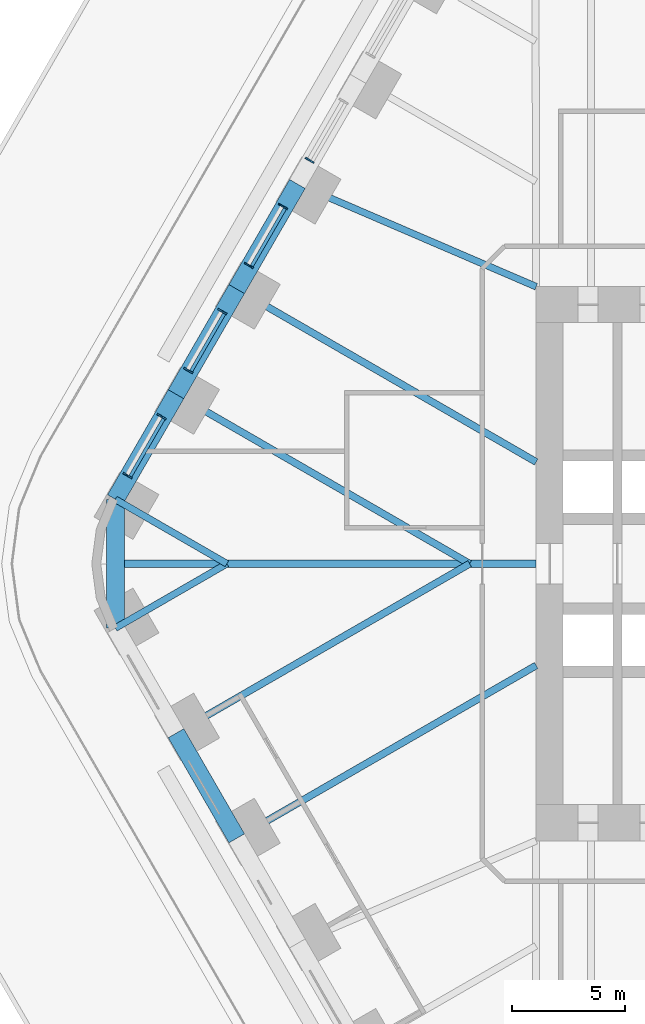
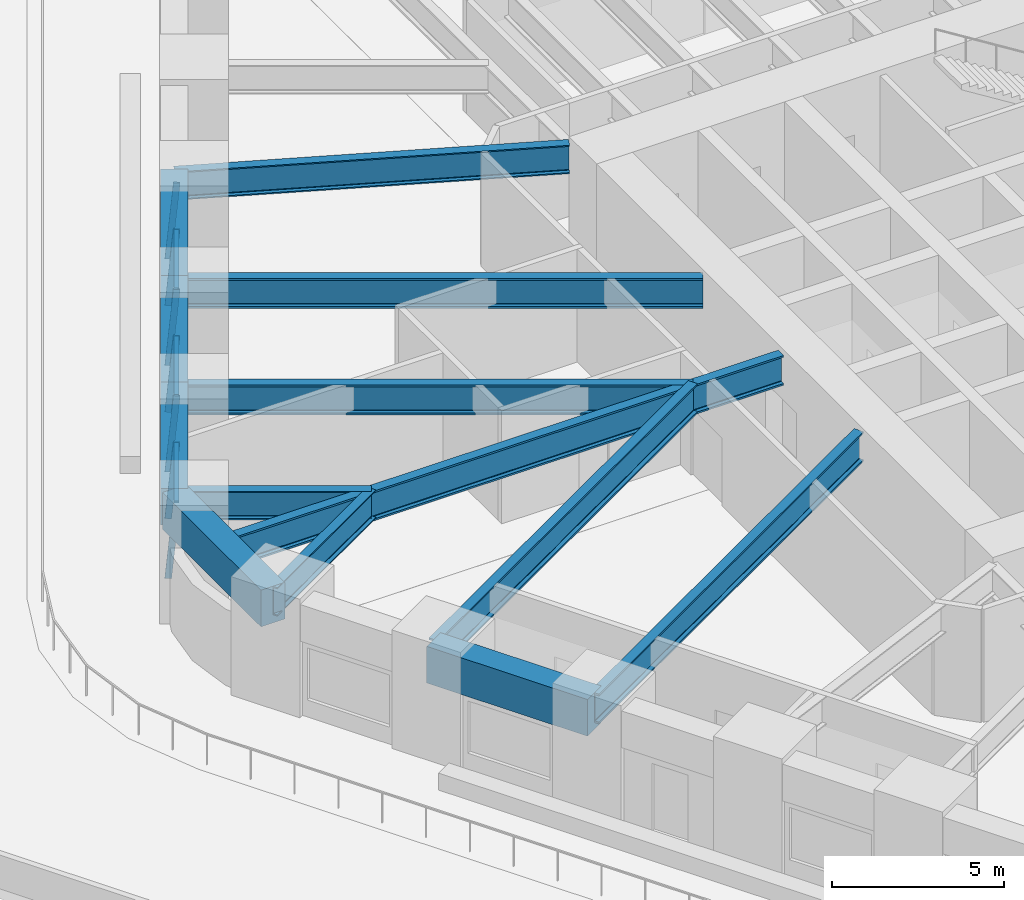
# One storey, part 3 of 17: 13 beams, 10 members, 4 elements without a shape of their own.
"""IFC4 building model written with IfcOpenShell, lengths in metres."""

from ifc_helpers import new_model, si_unit, direction, frame, origin, origin_2d, place, context, subcontext, project, spatial, rectangle, i_section, extrude, material, material_profile, profile_set, type_object, element, aggregate, save


model = new_model("IFC4")

# Units and contexts
model_context = context("Model", 3, precision=1e-05, world=origin(), true_north=direction((0.0, 1.0)))
body_context = subcontext(model_context, "Body", "Model", "MODEL_VIEW")
ifc_project = project(units=[si_unit("LENGTHUNIT", "METRE"), si_unit("AREAUNIT", "SQUARE_METRE"), si_unit("VOLUMEUNIT", "CUBIC_METRE"), si_unit("PLANEANGLEUNIT", "RADIAN"), si_unit("MASSUNIT", "GRAM", prefix="KILO")], contexts=[model_context])

# Site, building, storey
site_placement = place(None, origin())
site = spatial("IfcSite", under=ifc_project, at=site_placement, CompositionType="ELEMENT")
building_placement = place(site_placement, origin())
building = spatial("IfcBuilding", under=site, at=building_placement, Name="Tarfa Lantern Tower", CompositionType="ELEMENT")
storey_placement = place(building_placement, frame((0.0, 0.0, 23.5)))
storey = spatial("IfcBuildingStorey", under=building, at=storey_placement, Name="L04", CompositionType="ELEMENT", Elevation=23.5)

# Curtain wall, member
ifc_material_1 = material(Name="Aluminium framed curtain wall", Category="aluminium")
curtain_wall_type = type_object("IfcCurtainWallType", Name="CW1 CANTED GLAZING LOW ZONE 2700", PredefinedType="USERDEFINED", material=ifc_material_1)
curtain_wall_1_placement = place(storey_placement, origin())
curtain_wall_1 = element("IfcCurtainWall", 1, at=curtain_wall_1_placement, inside=storey, type_object=curtain_wall_type, Name="CW1 NW L04", ObjectType="CURTAIN WALL", PredefinedType="USERDEFINED")
ifc_material_2 = material(Name="Aluminium mullion", Category="aluminium")
ifc_material_profile_1 = material_profile(ifc_material_2, rectangle(XDim=0.06494140625, YDim=0.199951171875, at=origin_2d()), Name="AL MULLION 65x200")
ifc_profile_set_1 = profile_set([ifc_material_profile_1], Name="Aluminium mullion")
member_type_1 = type_object("IfcMemberType", Name="CWM1 MULLION 65x200", PredefinedType="MULLION", material=ifc_profile_set_1)
member_1_placement = place(storey_placement, frame((-28.76708984375, 17.97412109375, 0.0), z_axis=(0.07986442134, -0.046099868913, 0.99573916077), x_axis=(0.499919672301, 0.866071776036, 0.0)))
member_1 = element("IfcMember", 2, at=member_1_placement, type_object=member_type_1, Name="CW1 mullion 2", PredefinedType="MULLION", context=body_context, shape_type="SweptSolid", body=[
    extrude(rectangle(XDim=0.06494140625, YDim=0.199951171875, at=origin_2d()), origin(), (0.0, 0.0, 1.0), 2.71142578125),
])
aggregate(curtain_wall_1, [member_1])

# Curtain wall, members
curtain_wall_2_placement = place(storey_placement, origin())
curtain_wall_2 = element("IfcCurtainWall", 3, at=curtain_wall_2_placement, inside=storey, type_object=curtain_wall_type, Name="CW1 NW L04", ObjectType="CURTAIN WALL", PredefinedType="USERDEFINED")
member_2_placement = place(storey_placement, frame((-29.949462890625, 15.926025390625, 0.0), z_axis=(0.07986442134, -0.046099868913, 0.99573916077), x_axis=(0.499919672301, 0.866071776036, 0.0)))
member_2 = element("IfcMember", 4, at=member_2_placement, type_object=member_type_1, Name="CW1 mullion 1", PredefinedType="MULLION", context=body_context, shape_type="SweptSolid", body=[
    extrude(rectangle(XDim=0.06494140625, YDim=0.199951171875, at=origin_2d()), origin(), (0.0, 0.0, 1.0), 2.71142578125),
])
member_3_placement = place(storey_placement, frame((-31.46142578125, 13.307373046875, 0.0), z_axis=(0.07986442134, -0.046099868913, 0.99573916077), x_axis=(0.499919672301, 0.866071776036, 0.0)))
member_3 = element("IfcMember", 5, at=member_3_placement, type_object=member_type_1, Name="CW1 mullion 2", PredefinedType="MULLION", context=body_context, shape_type="SweptSolid", body=[
    extrude(rectangle(XDim=0.06494140625, YDim=0.199951171875, at=origin_2d()), origin(), (0.0, 0.0, 1.0), 2.71142578125),
])

curtain_wall_3_placement = place(storey_placement, origin())
curtain_wall_3 = element("IfcCurtainWall", 6, at=curtain_wall_3_placement, inside=storey, type_object=curtain_wall_type, Name="CW1 NW L04", ObjectType="CURTAIN WALL", PredefinedType="USERDEFINED")
member_4_placement = place(storey_placement, frame((-32.643798828125, 11.25927734375, 0.0), z_axis=(0.07986442134, -0.046099868913, 0.99573916077), x_axis=(0.499919672301, 0.866071776036, 0.0)))
member_4 = element("IfcMember", 7, at=member_4_placement, type_object=member_type_1, Name="CW1 mullion 1", PredefinedType="MULLION", context=body_context, shape_type="SweptSolid", body=[
    extrude(rectangle(XDim=0.06494140625, YDim=0.199951171875, at=origin_2d()), origin(), (0.0, 0.0, 1.0), 2.71142578125),
])
member_5_placement = place(storey_placement, frame((-34.155517578125, 8.640625, 0.0), z_axis=(0.079774955866, -0.04610020023, 0.995746317068), x_axis=(0.500342721131, 0.865827443207, 0.0)))
member_5 = element("IfcMember", 8, at=member_5_placement, type_object=member_type_1, Name="CW1 mullion 2", PredefinedType="MULLION", context=body_context, shape_type="SweptSolid", body=[
    extrude(rectangle(XDim=0.06494140625, YDim=0.199951171875, at=origin_2d()), origin(), (0.0, 0.0, 1.0), 2.71142578125),
])

curtain_wall_4_placement = place(storey_placement, origin())
curtain_wall_4 = element("IfcCurtainWall", 9, at=curtain_wall_4_placement, inside=storey, type_object=curtain_wall_type, Name="CW1 NW L04", ObjectType="CURTAIN WALL", PredefinedType="USERDEFINED")
member_6_placement = place(storey_placement, frame((-35.338134765625, 6.592529296875, 0.0), z_axis=(0.07986442134, -0.046099868913, 0.99573916077), x_axis=(0.499919672301, 0.866071776036, 0.0)))
member_6 = element("IfcMember", 10, at=member_6_placement, type_object=member_type_1, Name="CW1 mullion 1", PredefinedType="MULLION", context=body_context, shape_type="SweptSolid", body=[
    extrude(rectangle(XDim=0.06494140625, YDim=0.199951171875, at=origin_2d()), origin(), (0.0, 0.0, 1.0), 2.71142578125),
])
member_7_placement = place(storey_placement, frame((-36.849853515625, 3.97412109375, 0.0), z_axis=(0.07986442134, -0.046099868913, 0.99573916077), x_axis=(0.499919672301, 0.866071776036, 0.0)))
member_7 = element("IfcMember", 11, at=member_7_placement, type_object=member_type_1, Name="CW1 mullion 2", PredefinedType="MULLION", context=body_context, shape_type="SweptSolid", body=[
    extrude(rectangle(XDim=0.06494140625, YDim=0.199951171875, at=origin_2d()), origin(), (0.0, 0.0, 1.0), 2.71142578125),
])

# Member
ifc_material_3 = material(Name="Aluminium transom", Category="aluminium")
ifc_material_profile_2 = material_profile(ifc_material_3, rectangle(XDim=0.14990234375, YDim=0.06494140625, at=origin_2d()), Name="AL TRANSOM 150x65")
ifc_profile_set_2 = profile_set([ifc_material_profile_2], Name="Aluminium transom")
member_type_2 = type_object("IfcMemberType", Name="CWT1 TRANSOM 150x65", PredefinedType="USERDEFINED", material=ifc_profile_set_2)
member_8_placement = place(storey_placement, frame((-29.751953125, 15.774169921875, 2.66748046875), z_axis=(-0.500017718492, -0.866015173767, 0.0), x_axis=(0.866015173767, -0.500017718492, 0.0)))
member_8 = element("IfcMember", 12, at=member_8_placement, type_object=member_type_2, Name="CW1 transom 1.2", ObjectType="TRANSOM", PredefinedType="USERDEFINED", context=body_context, shape_type="SweptSolid", body=[
    extrude(rectangle(XDim=0.14990234375, YDim=0.06494140625, at=origin_2d()), origin(), (0.0, 0.0, 1.0), 2.95849609375),
])

aggregate(curtain_wall_2, [member_2, member_3, member_8])

member_9_placement = place(storey_placement, frame((-32.446044921875, 11.107666015625, 2.66748046875), z_axis=(-0.50004387232, -0.866000072607, 0.0), x_axis=(0.866000072607, -0.50004387232, 0.0)))
member_9 = element("IfcMember", 13, at=member_9_placement, type_object=member_type_2, Name="CW1 transom 1.2", ObjectType="TRANSOM", PredefinedType="USERDEFINED", context=body_context, shape_type="SweptSolid", body=[
    extrude(rectangle(XDim=0.14990234375, YDim=0.06494140625, at=origin_2d()), origin(), (0.0, 0.0, 1.0), 2.958740234375),
])

aggregate(curtain_wall_3, [member_4, member_5, member_9])

member_10_placement = place(storey_placement, frame((-35.140380859375, 6.44091796875, 2.66748046875), z_axis=(-0.50004387232, -0.866000072607, 0.0), x_axis=(0.866000072607, -0.50004387232, 0.0)))
member_10 = element("IfcMember", 14, at=member_10_placement, type_object=member_type_2, Name="CW1 transom 1.2", ObjectType="TRANSOM", PredefinedType="USERDEFINED", context=body_context, shape_type="SweptSolid", body=[
    extrude(rectangle(XDim=0.14990234375, YDim=0.06494140625, at=origin_2d()), origin(), (0.0, 0.0, 1.0), 2.958740234375),
])

aggregate(curtain_wall_4, [member_6, member_7, member_10])

# Beams
ifc_material_4 = material(Name="Concrete C80/95", Category="concrete")
ifc_material_profile_3 = material_profile(ifc_material_4, rectangle(XDim=0.800048828125, YDim=1.300048828125, at=origin_2d()), Name="RC 800x1300")
ifc_profile_set_3 = profile_set([ifc_material_profile_3], Name="Concrete C80/95")
beam_type_1 = type_object("IfcBeamType", Name="EB1 RC 800x1300", PredefinedType="SPANDREL", material=ifc_profile_set_3)
for number, where, z_axis, x_axis, name in (
    (15, (-29.202392578125, 16.860107421875, 3.35009765625), (-0.499998287579, -0.866026392449, 0.0), (0.866026392449, -0.499998287579, 0.0), "Edge beam NW3"),
    (16, (-31.896728515625, 12.193359375, 3.35009765625), (-0.499998287579, -0.866026392449, 0.0), (0.866026392449, -0.499998287579, 0.0), "Edge beam NW4"),
):
    element("IfcBeam", number, at=place(storey_placement, frame(where, z_axis=z_axis, x_axis=x_axis)), inside=storey, type_object=beam_type_1, Name=name, PredefinedType="SPANDREL", context=body_context, shape_type="SweptSolid", body=[
        extrude(rectangle(XDim=0.800048828125, YDim=1.300048828125, at=origin_2d()), origin(), (0.0, 0.0, 1.0), 5.388671875),
    ])
beam_1_placement = place(storey_placement, frame((-34.591064453125, 7.526611328125, 3.35009765625), z_axis=(-0.500017906299, -0.866015065331, 0.0), x_axis=(0.866015065331, -0.500017906299, 0.0)))
element("IfcBeam", 17, at=beam_1_placement, inside=storey, type_object=beam_type_1, Name="Edge beam NW5", PredefinedType="SPANDREL", context=body_context, shape_type="SweptSolid", body=[
    extrude(rectangle(XDim=0.800048828125, YDim=1.300048828125, at=origin_2d()), origin(), (0.0, 0.0, 1.0), 5.388427734375),
])
beam_2_placement = place(storey_placement, frame((-37.285400390625, 2.860107421875, 3.35009765625), z_axis=(0.0, -1.0, 0.0), x_axis=(1.0, 0.0, 0.0)))
element("IfcBeam", 18, at=beam_2_placement, inside=storey, type_object=beam_type_1, Name="Edge beam NW6", PredefinedType="SPANDREL", context=body_context, shape_type="SweptSolid", body=[
    extrude(rectangle(XDim=0.800048828125, YDim=1.300048828125, at=origin_2d()), origin(), (0.0, 0.0, 1.0), 5.72021484375),
])
beam_3_placement = place(storey_placement, frame((-34.591064453125, -7.526611328125, 3.35009765625), z_axis=(0.499998287579, -0.866026392449, 0.0), x_axis=(0.866026392449, 0.499998287579, 0.0)))
element("IfcBeam", 19, at=beam_3_placement, inside=storey, type_object=beam_type_1, Name="Edge beam SW1", PredefinedType="SPANDREL", context=body_context, shape_type="SweptSolid", body=[
    extrude(rectangle(XDim=0.800048828125, YDim=1.300048828125, at=origin_2d()), origin(), (0.0, 0.0, 1.0), 5.388671875),
])
ifc_material_5 = material(Name="Steel S460M", Category="steel")
ifc_material_profile_4 = material_profile(ifc_material_5, i_section(OverallWidth=0.302001953125, OverallDepth=1.008056640625, WebThickness=0.02099609375, FlangeThickness=0.0400390625, FilletRadius=0.030029296875, at=origin_2d()), Name="UB1016x305x349")
ifc_profile_set_4 = profile_set([ifc_material_profile_4], Name="Steel S460M")
beam_type_2 = type_object("IfcBeamType", Name="UB1016x305x349", PredefinedType="BEAM", material=ifc_profile_set_4)
beam_4_placement = place(storey_placement, frame((-29.202392578125, 16.860107421875, 3.495849609375), z_axis=(0.918635483867, -0.395106122175, 0.0), x_axis=(0.395106122175, 0.918635483867, 0.0)))
element("IfcBeam", 20, at=beam_4_placement, inside=storey, type_object=beam_type_2, Name="Floor beam NW3", PredefinedType="BEAM", context=body_context, shape_type="SweptSolid", body=[
    extrude(i_section(OverallWidth=0.302001953125, OverallDepth=1.008056640625, WebThickness=0.02099609375, FlangeThickness=0.0400390625, FilletRadius=0.030029296875, at=origin_2d()), origin(), (0.0, 0.0, 1.0), 11.541259765625),
])
for number, where, z_axis, x_axis, name in (
    (21, (-37.285400390625, 2.860107421875, 3.495849609375), (0.866025668288, -0.499999541866, 0.0), (0.499999541866, 0.866025668288, 0.0), "Floor beam NW6"),
    (22, (-37.285400390625, -2.860107421875, 3.495849609375), (0.866025668288, 0.499999541866, 0.0), (-0.499999541866, 0.866025668288, 0.0), "Floor beam SW0"),
):
    element("IfcBeam", number, at=place(storey_placement, frame(where, z_axis=z_axis, x_axis=x_axis)), inside=storey, type_object=beam_type_2, Name=name, PredefinedType="BEAM", context=body_context, shape_type="SweptSolid", body=[
        extrude(i_section(OverallWidth=0.302001953125, OverallDepth=1.008056640625, WebThickness=0.02099609375, FlangeThickness=0.0400390625, FilletRadius=0.030029296875, at=origin_2d()), origin(), (0.0, 0.0, 1.0), 5.72021484375),
    ])
ifc_material_profile_5 = material_profile(ifc_material_5, i_section(OverallWidth=0.314208984375, OverallDepth=1.055908203125, WebThickness=0.035888671875, FlangeThickness=0.06396484375, FilletRadius=0.030029296875, at=origin_2d()), Name="UB1016x305x584")
ifc_profile_set_5 = profile_set([ifc_material_profile_5], Name="Steel S460M")
beam_type_3 = type_object("IfcBeamType", Name="UB1016x305x584", PredefinedType="BEAM", material=ifc_profile_set_5)
beam_5_placement = place(storey_placement, frame((-18.60009765625, 0.0, 3.471923828125), z_axis=(-1.0, 0.0, 0.0), x_axis=(0.0, -1.0, 0.0)))
element("IfcBeam", 23, at=beam_5_placement, inside=storey, type_object=beam_type_3, Name="Hip girder W", PredefinedType="BEAM", context=body_context, shape_type="SweptSolid", body=[
    extrude(i_section(OverallWidth=0.314208984375, OverallDepth=1.055908203125, WebThickness=0.035888671875, FlangeThickness=0.06396484375, FilletRadius=0.030029296875, at=origin_2d()), origin(), (0.0, 0.0, 1.0), 18.685302734375),
])
beam_6_placement = place(storey_placement, frame((-31.896728515625, 12.193359375, 3.471923828125), z_axis=(0.866026971665, -0.499997284341, 0.0), x_axis=(0.499997284341, 0.866026971665, 0.0)))
element("IfcBeam", 24, at=beam_6_placement, inside=storey, type_object=beam_type_3, Name="Floor beam NW4", PredefinedType="BEAM", context=body_context, shape_type="SweptSolid", body=[
    extrude(i_section(OverallWidth=0.314208984375, OverallDepth=1.055908203125, WebThickness=0.035888671875, FlangeThickness=0.06396484375, FilletRadius=0.030029296875, at=origin_2d()), origin(), (0.0, 0.0, 1.0), 15.353515625),
])
for number, where, z_axis, x_axis, name in (
    (25, (-34.591064453125, 7.526611328125, 3.471923828125), (0.86602785945, -0.499995746638, 0.0), (0.499995746638, 0.86602785945, 0.0), "Floor beam NW5"),
    (26, (-34.591064453125, -7.526611328125, 3.471923828125), (0.86602785945, 0.499995746638, 0.0), (-0.499995746638, 0.86602785945, 0.0), "Floor beam SW1"),
):
    element("IfcBeam", number, at=place(storey_placement, frame(where, z_axis=z_axis, x_axis=x_axis)), inside=storey, type_object=beam_type_3, Name=name, PredefinedType="BEAM", context=body_context, shape_type="SweptSolid", body=[
        extrude(i_section(OverallWidth=0.314208984375, OverallDepth=1.055908203125, WebThickness=0.035888671875, FlangeThickness=0.06396484375, FilletRadius=0.030029296875, at=origin_2d()), origin(), (0.0, 0.0, 1.0), 15.053466796875),
    ])
beam_7_placement = place(storey_placement, frame((-31.896728515625, -12.193359375, 3.471923828125), z_axis=(0.866026971665, 0.499997284341, 0.0), x_axis=(-0.499997284341, 0.866026971665, 0.0)))
element("IfcBeam", 27, at=beam_7_placement, inside=storey, type_object=beam_type_3, Name="Floor beam SW2", PredefinedType="BEAM", context=body_context, shape_type="SweptSolid", body=[
    extrude(i_section(OverallWidth=0.314208984375, OverallDepth=1.055908203125, WebThickness=0.035888671875, FlangeThickness=0.06396484375, FilletRadius=0.030029296875, at=origin_2d()), origin(), (0.0, 0.0, 1.0), 15.353515625),
])

save(model, "model.ifc")
